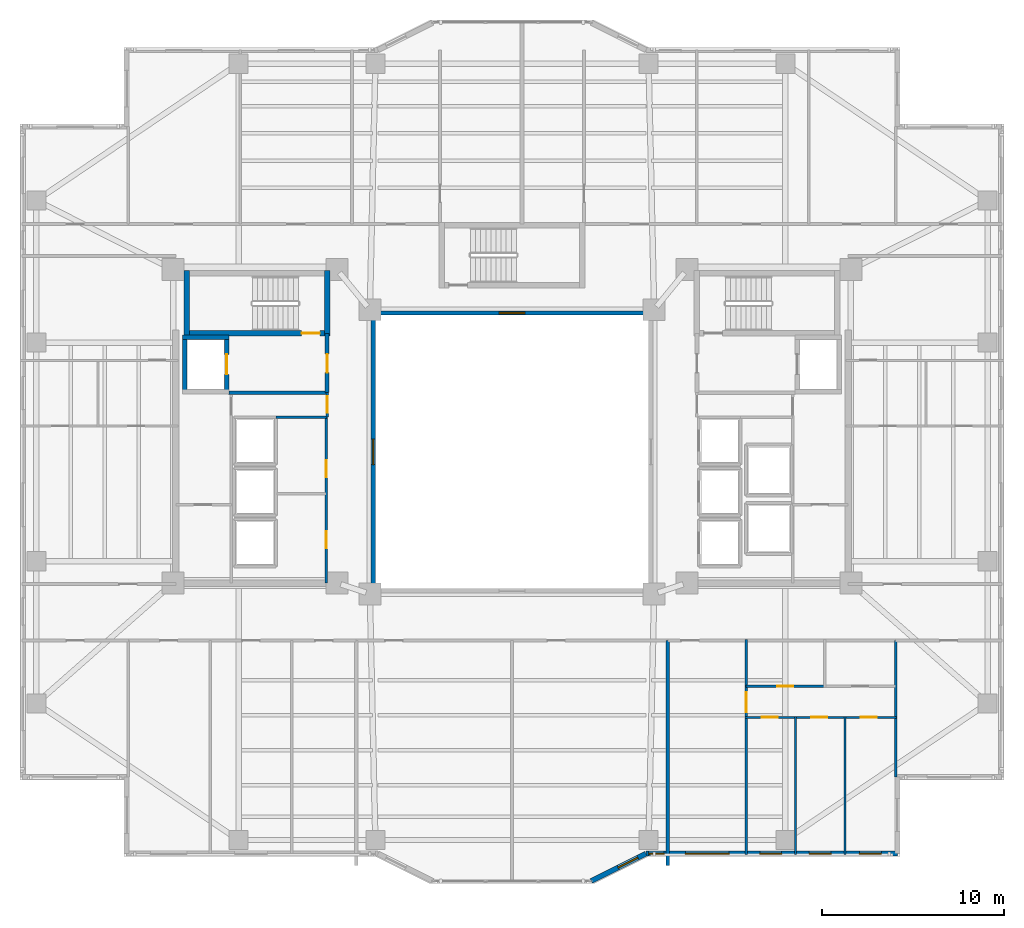
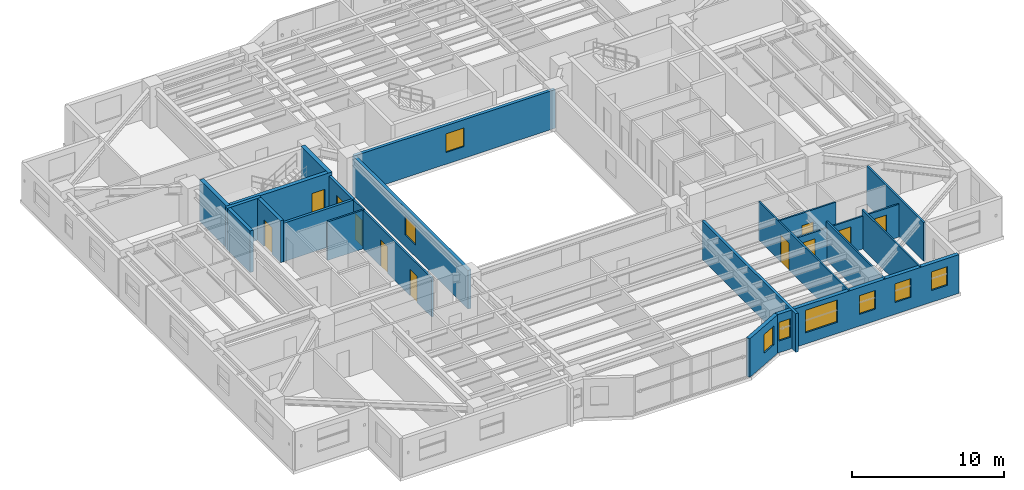
# One storey, part 7 of 18: 22 walls, 11 doors, 8 windows, 19 openings.
"""IFC4 building model written with IfcOpenShell, lengths in metres."""

import ifcopenshell
import ifcopenshell.guid

model = None  # the IFC model being written
_history = None  # IfcOwnerHistory: only IFC2X3 demands one
_inside = {}  # id of a spatial element -> (the spatial element, [elements in it])
_under = {}  # id of a project, library or spatial element -> (it, [spatial elements below it])
_declared = {}  # id of a project -> (the project, [libraries it declares])
_typed = {}  # id of a type object -> (the type object, [elements of that type])
_made_of = {}  # id of a material, layer set ... -> (it, [elements and type objects made of it])


def new_model(schema):
    """Start an empty IFC model of exactly this schema.

    Asked for "IFC4X3", IfcOpenShell would pick the latest addendum, in which some entities
    have other attributes; the version numbers below select the first issue.
    IFC2X3 requires an IfcOwnerHistory on every rooted entity: one is made here for all.
    """
    global model, _history
    if schema == "IFC4X3":
        model = ifcopenshell.file(schema_version=(4, 3, 0, 0))
    else:
        model = ifcopenshell.file(schema=schema)
    _inside.clear()
    _under.clear()
    _declared.clear()
    _typed.clear()
    _made_of.clear()
    _history = None
    if model.schema == "IFC2X3":
        org = make("IfcOrganization", Name="unknown")
        user = make(
            "IfcPersonAndOrganization",
            ThePerson=make("IfcPerson", FamilyName="unknown"),
            TheOrganization=org,
        )
        app = make(
            "IfcApplication",
            ApplicationDeveloper=org,
            Version="unknown",
            ApplicationFullName="unknown",
            ApplicationIdentifier="unknown",
        )
        _history = make(
            "IfcOwnerHistory",
            OwningUser=user,
            OwningApplication=app,
            ChangeAction="ADDED",
            CreationDate=0,
        )
    return model


def make(cls, **values):
    """One entity of the class cls with the attributes given. An attribute that is None is left unset."""
    return model.create_entity(
        cls, **{name: value for name, value in values.items() if value is not None}
    )


def rooted(cls, **values):
    """An entity with a GlobalId (a new one), such as an element, a storey or a relation."""
    return make(cls, GlobalId=ifcopenshell.guid.new(), OwnerHistory=_history, **values)


def si_unit(unit_type, name, prefix=None):
    """IfcSIUnit, for example si_unit("LENGTHUNIT", "METRE", prefix="MILLI")."""
    return make("IfcSIUnit", UnitType=unit_type, Prefix=prefix, Name=name)


def assignment(units):
    """IfcUnitAssignment: the units of a project."""
    return None if units is None else make("IfcUnitAssignment", Units=units)


def point(xyz):
    """IfcCartesianPoint."""
    return None if xyz is None else make("IfcCartesianPoint", Coordinates=xyz)


def direction(xyz):
    """IfcDirection."""
    return None if xyz is None else make("IfcDirection", DirectionRatios=xyz)


def frame(location, z_axis=None, x_axis=None):
    """IfcAxis2Placement3D, a coordinate frame: its origin and axes. An axis left out is left unset."""
    return make(
        "IfcAxis2Placement3D",
        Location=point(location),
        Axis=direction(z_axis),
        RefDirection=direction(x_axis),
    )


def frame_2d(location, x_axis=None):
    """IfcAxis2Placement2D, a coordinate frame in the plane: its origin and x axis."""
    return make(
        "IfcAxis2Placement2D", Location=point(location), RefDirection=direction(x_axis)
    )


def origin():
    """The frame at (0, 0, 0) with its axes left unset."""
    return frame((0.0, 0.0, 0.0))


def place(relative_to, where):
    """IfcLocalPlacement: puts the frame where relative to a parent placement (None: the world)."""
    return make(
        "IfcLocalPlacement", PlacementRelTo=relative_to, RelativePlacement=where
    )


def context(
    kind, dimensions, precision=None, world=None, true_north=None, identifier=None
):
    """IfcGeometricRepresentationContext, for example the 3D "Model" context."""
    return make(
        "IfcGeometricRepresentationContext",
        ContextIdentifier=identifier,
        ContextType=kind,
        CoordinateSpaceDimension=dimensions,
        Precision=precision,
        WorldCoordinateSystem=world,
        TrueNorth=true_north,
    )


def subcontext(parent, identifier, kind, view, scale=None):
    """IfcGeometricRepresentationSubContext, for example "Body" below "Model"."""
    return make(
        "IfcGeometricRepresentationSubContext",
        ContextIdentifier=identifier,
        ContextType=kind,
        ParentContext=parent,
        TargetScale=scale,
        TargetView=view,
    )


def project(units=None, contexts=None):
    """IfcProject with its units and contexts."""
    return rooted(
        "IfcProject",
        Name="project",
        RepresentationContexts=contexts,
        UnitsInContext=assignment(units),
    )


def spatial(cls, under=None, at=None, **own):
    """A site, building, storey or space (cls), placed at a placement, below another one or the project."""
    s = rooted(cls, ObjectPlacement=at, **own)
    if under is not None:
        _under.setdefault(under.id(), (under, []))[1].append(s)
    return s


def profile(cls, at=None, kind="AREA", **sizes):
    """A parametric profile (cls). Its sizes go by their IFC names, for example OverallWidth=200.0."""
    return make(cls, ProfileType=kind, Position=at, **sizes)


def rectangle(**sizes):
    """IfcRectangleProfileDef."""
    return profile("IfcRectangleProfileDef", **sizes)


def extrude(swept, where, along, depth):
    """IfcExtrudedAreaSolid: the profile swept, set in the frame where, extruded along a direction by depth."""
    return make(
        "IfcExtrudedAreaSolid",
        SweptArea=swept,
        Position=where,
        ExtrudedDirection=direction(along),
        Depth=depth,
    )


def shape(context_of_items, identifier, shape_type, items):
    """IfcShapeRepresentation: the items that make up one representation, for example the "Body"."""
    return make(
        "IfcShapeRepresentation",
        ContextOfItems=context_of_items,
        RepresentationIdentifier=identifier,
        RepresentationType=shape_type,
        Items=items,
    )


def material(Name=None, Category=None):
    """IfcMaterial."""
    return make("IfcMaterial", Name=Name, Category=Category)


def layer(
    of_material, thickness, ventilated=None, Name=None, Category=None, Priority=None
):
    """IfcMaterialLayer: one layer of a wall or slab, of a material (None: an air gap)."""
    return make(
        "IfcMaterialLayer",
        Material=of_material,
        LayerThickness=thickness,
        IsVentilated=ventilated,
        Name=Name,
        Category=Category,
        Priority=Priority,
    )


def layer_set(layers, Name=None):
    """IfcMaterialLayerSet."""
    return make("IfcMaterialLayerSet", MaterialLayers=layers, LayerSetName=Name)


def made_of(thing, what):
    """Note that an element or type object is made of a material, layer set ...; save() writes the relation."""
    if what is not None:
        _made_of.setdefault(what.id(), (what, []))[1].append(thing)
    return thing


def type_object(cls, material=None, **own):
    """A type object (cls), such as IfcWallType, which elements share."""
    return made_of(rooted(cls, **own), material)


def element(
    cls,
    number,
    at=None,
    inside=None,
    cuts=None,
    type_object=None,
    material=None,
    context=None,
    identifier="Body",
    shape_type=None,
    held_by="IfcProductDefinitionShape",
    body=None,
    shapes=None,
    **own,
):
    """One element of the class cls, such as IfcWall. Its Tag is "e" and its number.

    at: its placement. inside: the storey or other place that contains it. cuts: it is an
    opening in that element (IfcRelVoidsElement). A single representation is given by context,
    identifier, shape_type and body (its items); several are given by shapes. held_by: the class
    of the entity that holds the representations. save() writes the other relations.
    """
    e = rooted(cls, Tag="e%d" % number, ObjectPlacement=at, **own)
    if body is not None:
        shapes = [shape(context, identifier, shape_type, body)]
    if shapes is not None:
        e.Representation = make(held_by, Representations=shapes)
    if inside is not None:
        _inside.setdefault(inside.id(), (inside, []))[1].append(e)
    if cuts is not None:
        rooted(
            "IfcRelVoidsElement", RelatingBuildingElement=cuts, RelatedOpeningElement=e
        )
    if type_object is not None:
        _typed.setdefault(type_object.id(), (type_object, []))[1].append(e)
    return made_of(e, material)


def fill(opening, filler):
    """IfcRelFillsElement: the door or window that sits in an opening."""
    return rooted(
        "IfcRelFillsElement",
        RelatingOpeningElement=opening,
        RelatedBuildingElement=filler,
    )


def aggregate(whole, parts):
    """IfcRelAggregates: a whole, such as a stair, and the parts it consists of."""
    return rooted("IfcRelAggregates", RelatingObject=whole, RelatedObjects=parts)


def save(model, path):
    """Write the relations noted so far, then the file.

    IfcRelAggregates (storeys below a building ...), IfcRelContainedInSpatialStructure (elements
    in a storey), IfcRelDefinesByType, IfcRelAssociatesMaterial and IfcRelDeclares: one each for
    every whole, place, type object, material and project.
    """
    for whole, parts in _under.values():
        aggregate(whole, parts)
    for where, things in _inside.values():
        rooted(
            "IfcRelContainedInSpatialStructure",
            RelatedElements=things,
            RelatingStructure=where,
        )
    for kind, things in _typed.values():
        rooted("IfcRelDefinesByType", RelatedObjects=things, RelatingType=kind)
    for what, things in _made_of.values():
        rooted("IfcRelAssociatesMaterial", RelatedObjects=things, RelatingMaterial=what)
    for by, libraries in _declared.values():
        rooted("IfcRelDeclares", RelatingContext=by, RelatedDefinitions=libraries)
    model.write(path)


model = new_model("IFC4")

# Units and contexts
model_context = context("Model", 3, precision=1e-05, world=origin(), true_north=direction((0.0, 1.0)))
body_context = subcontext(model_context, "Body", "Model", "MODEL_VIEW")
ifc_project = project(units=[si_unit("LENGTHUNIT", "METRE"), si_unit("AREAUNIT", "SQUARE_METRE"), si_unit("VOLUMEUNIT", "CUBIC_METRE"), si_unit("PLANEANGLEUNIT", "RADIAN"), si_unit("MASSUNIT", "GRAM", prefix="KILO")], contexts=[model_context])

# Site, building, storey
site_placement = place(None, origin())
site = spatial("IfcSite", under=ifc_project, at=site_placement, CompositionType="ELEMENT")
building_placement = place(site_placement, origin())
building = spatial("IfcBuilding", under=site, at=building_placement, Name="Tarnavaz Court Tower", CompositionType="ELEMENT")
storey_placement = place(building_placement, frame((0.0, 0.0, 105.10009765625)))
storey = spatial("IfcBuildingStorey", under=building, at=storey_placement, Name="L28", CompositionType="ELEMENT", Elevation=105.10009765625)

# Wall
ifc_material_1 = material(Name="Concrete C60/75", Category="concrete")
ifc_layer_1 = layer(ifc_material_1, 0.25)
ifc_layer_set_1 = layer_set([ifc_layer_1], Name="Concrete C60/75")
wall_type_1 = type_object("IfcWallType", Name="WL-CORE-250-C60", PredefinedType="SHEAR", material=ifc_layer_set_1)
wall_1_placement = place(storey_placement, frame((-17.949951171875, 3.175048828125, 0.0), z_axis=(0.0, 0.0, 1.0), x_axis=(0.0, 1.0, 0.0)))
element("IfcWall", 1, at=wall_1_placement, inside=storey, type_object=wall_type_1, Name="L28 Lift FL-W1 Shaft Wall 017", PredefinedType="SHEAR", context=body_context, shape_type="SweptSolid", body=[
    extrude(rectangle(XDim=3.25, YDim=0.25, at=frame_2d((1.625, 0.0))), origin(), (0.0, 0.0, 1.0), 3.349853515625),
])

# Wall, opening, door
wall_2_placement = place(storey_placement, frame((-15.64990234375, 3.175048828125, 0.0), z_axis=(0.0, 0.0, 1.0), x_axis=(0.0, 1.0, 0.0)))
wall_2 = element("IfcWall", 2, at=wall_2_placement, inside=storey, type_object=wall_type_1, Name="L28 Lift FL-W1 Shaft Wall 018", PredefinedType="SHEAR", context=body_context, shape_type="SweptSolid", body=[
    extrude(rectangle(XDim=3.25, YDim=0.25, at=frame_2d((1.625, 0.0))), origin(), (0.0, 0.0, 1.0), 3.349853515625),
])
opening_1_placement = place(wall_2_placement, frame((1.074951171875, 0.0, 0.0)))
opening_1 = element("IfcOpeningElement", 3, at=opening_1_placement, cuts=wall_2, Name="Opening LD1", PredefinedType="OPENING", context=body_context, shape_type="SweptSolid", body=[
    extrude(rectangle(XDim=1.10009765625, YDim=2.14990234375, at=frame_2d((0.550048828125, 1.074951171875))), frame((0.0, 0.135009765625, 0.0), z_axis=(0.0, -1.0, 0.0), x_axis=(1.0, 0.0, 0.0)), (0.0, 0.0, 1.0), 0.27001953125),
])
ifc_material_2 = material(Name="Stainless Steel", Category="steel")
door_type_1 = type_object("IfcDoorType", Name="DR-LD-1100", OperationType="NOTDEFINED", PredefinedType="DOOR", material=ifc_material_2)
door_1_placement = place(opening_1_placement, origin())
door_1 = element("IfcDoor", 4, at=door_1_placement, inside=storey, type_object=door_type_1, Name="L28 Lift Landing Door LD-FL-W1", OperationType="SLIDING_TO_LEFT", OverallHeight=2.14990234375, OverallWidth=1.10009765625, PredefinedType="DOOR", context=body_context, shape_type="SweptSolid", body=[
    extrude(rectangle(XDim=1.10009765625, YDim=2.14990234375, at=frame_2d((0.550048828125, 1.074951171875))), frame((0.0, 0.02490234375, 0.0), z_axis=(0.0, -1.0, 0.0), x_axis=(1.0, 0.0, 0.0)), (0.0, 0.0, 1.0), 0.050048828125),
])
fill(opening_1, door_1)

# Wall
wall_3_placement = place(storey_placement, frame((-18.074951171875, 6.300048828125, 0.0), z_axis=(0.0, 0.0, 1.0), x_axis=(1.0, 0.0, 0.0)))
element("IfcWall", 5, at=wall_3_placement, inside=storey, type_object=wall_type_1, Name="L28 Lift FL-W1 Shaft Wall 020", PredefinedType="SHEAR", context=body_context, shape_type="SweptSolid", body=[
    extrude(rectangle(XDim=2.550048828125, YDim=0.25, at=frame_2d((1.27490234375, 0.0))), origin(), (0.0, 0.0, 1.0), 3.349853515625),
])

# Wall, opening, door
ifc_layer_2 = layer(ifc_material_1, 0.300048828125)
ifc_layer_set_2 = layer_set([ifc_layer_2], Name="Concrete C60/75")
wall_type_2 = type_object("IfcWallType", Name="WL-CORE-300-C60", PredefinedType="SHEAR", material=ifc_layer_set_2)
wall_4_placement = place(storey_placement, frame((-18.0, 6.5, 0.0), z_axis=(0.0, 0.0, 1.0), x_axis=(1.0, 0.0, 0.0)))
wall_4 = element("IfcWall", 6, at=wall_4_placement, inside=storey, type_object=wall_type_2, Name="L28 West Stair Core Wall 002", PredefinedType="SHEAR", context=body_context, shape_type="SweptSolid", body=[
    extrude(rectangle(XDim=8.0, YDim=0.300048828125, at=frame_2d((4.0, 0.0))), origin(), (0.0, 0.0, 1.0), 3.349853515625),
])
opening_2_placement = place(wall_4_placement, frame((6.449951171875, 0.0, 0.0)))
opening_2 = element("IfcOpeningElement", 7, at=opening_2_placement, cuts=wall_4, Name="Opening D01", PredefinedType="OPENING", context=body_context, shape_type="SweptSolid", body=[
    extrude(rectangle(XDim=1.0, YDim=2.14990234375, at=frame_2d((0.5, 1.074951171875))), frame((0.0, 0.159912109375, 0.0), z_axis=(0.0, -1.0, 0.0), x_axis=(1.0, 0.0, 0.0)), (0.0, 0.0, 1.0), 0.320068359375),
])
ifc_material_3 = material(Name="Fire-Rated Hardwood Timber Core", Category="wood")
door_type_2 = type_object("IfcDoorType", Name="DR-FD90-1000", OperationType="NOTDEFINED", PredefinedType="DOOR", material=ifc_material_3)
door_2_placement = place(opening_2_placement, origin())
door_2 = element("IfcDoor", 8, at=door_2_placement, inside=storey, type_object=door_type_2, Name="L28 Stair ST-W1 Exit Door", OperationType="SINGLE_SWING_LEFT", OverallHeight=2.14990234375, OverallWidth=1.0, PredefinedType="DOOR", context=body_context, shape_type="SweptSolid", body=[
    extrude(rectangle(XDim=1.0, YDim=2.14990234375, at=frame_2d((0.5, 1.074951171875))), frame((0.0, 0.02490234375, 0.0), z_axis=(0.0, -1.0, 0.0), x_axis=(1.0, 0.0, 0.0)), (0.0, 0.0, 1.0), 0.050048828125),
])
fill(opening_2, door_2)

# Walls
for number, where, z_axis, x_axis, name in (
    (9, (-17.85009765625, 6.35009765625, 0.0), (0.0, 0.0, 1.0), (0.0, 1.0, 0.0), "L28 West Stair Core Wall 003"),
    (10, (-10.14990234375, 6.35009765625, 0.0), (0.0, 0.0, 1.0), (0.0, 1.0, 0.0), "L28 West Stair Core Wall 004"),
):
    element("IfcWall", number, at=place(storey_placement, frame(where, z_axis=z_axis, x_axis=x_axis)), inside=storey, type_object=wall_type_2, Name=name, PredefinedType="SHEAR", context=body_context, shape_type="SweptSolid", body=[
        extrude(rectangle(XDim=3.58984375, YDim=0.300048828125, at=frame_2d((1.794921875, 0.0))), origin(), (0.0, 0.0, 1.0), 3.349853515625),
    ])

# Wall, openings, windows
ifc_material_4 = material(Name="Precast Concrete C40/50", Category="concrete")
ifc_layer_3 = layer(ifc_material_4, 0.280029296875)
ifc_layer_set_3 = layer_set([ifc_layer_3], Name="Precast Concrete C40/50")
wall_type_3 = type_object("IfcWallType", Name="WL-EXT-280", PredefinedType="SOLIDWALL", material=ifc_layer_set_3)
wall_5_placement = place(storey_placement, frame((21.14990234375, -22.050048828125, 0.0), z_axis=(0.0, 0.0, 1.0), x_axis=(-1.0, 0.0, 0.0)))
wall_5 = element("IfcWall", 11, at=wall_5_placement, inside=storey, type_object=wall_type_3, Name="L28 Exterior Terracotta Facade Wall 15", PredefinedType="SOLIDWALL", context=body_context, shape_type="SweptSolid", body=[
    extrude(rectangle(XDim=13.7998046875, YDim=0.280029296875, at=frame_2d((6.89990234375, 0.0))), origin(), (0.0, 0.0, 1.0), 3.099853515625),
])
opening_3_placement = place(wall_5_placement, frame((0.88037109375, 0.0, 0.949951171875)))
opening_3 = element("IfcOpeningElement", 12, at=opening_3_placement, cuts=wall_5, Name="Opening W05", PredefinedType="OPENING", context=body_context, shape_type="SweptSolid", body=[
    extrude(rectangle(XDim=1.199951171875, YDim=1.5, at=frame_2d((0.60009765625, 0.75))), frame((0.0, 0.14990234375, 0.0), z_axis=(0.0, -1.0, 0.0), x_axis=(1.0, 0.0, 0.0)), (0.0, 0.0, 1.0), 0.300048828125),
])
opening_4_placement = place(wall_5_placement, frame((3.640380859375, 0.0, 0.949951171875)))
opening_4 = element("IfcOpeningElement", 13, at=opening_4_placement, cuts=wall_5, Name="Opening W05", PredefinedType="OPENING", context=body_context, shape_type="SweptSolid", body=[
    extrude(rectangle(XDim=1.199951171875, YDim=1.5, at=frame_2d((0.60009765625, 0.75))), frame((0.0, 0.14990234375, 0.0), z_axis=(0.0, -1.0, 0.0), x_axis=(1.0, 0.0, 0.0)), (0.0, 0.0, 1.0), 0.300048828125),
])
opening_5_placement = place(wall_5_placement, frame((6.35009765625, 0.0, 0.949951171875)))
opening_5 = element("IfcOpeningElement", 14, at=opening_5_placement, cuts=wall_5, Name="Opening W05", PredefinedType="OPENING", context=body_context, shape_type="SweptSolid", body=[
    extrude(rectangle(XDim=1.199951171875, YDim=1.5, at=frame_2d((0.60009765625, 0.75))), frame((0.0, 0.14990234375, 0.0), z_axis=(0.0, -1.0, 0.0), x_axis=(1.0, 0.0, 0.0)), (0.0, 0.0, 1.0), 0.300048828125),
])
opening_6_placement = place(wall_5_placement, frame((9.23779296875, 0.0, 0.89990234375)))
opening_6 = element("IfcOpeningElement", 15, at=opening_6_placement, cuts=wall_5, Name="Opening W06", PredefinedType="OPENING", context=body_context, shape_type="SweptSolid", body=[
    extrude(rectangle(XDim=2.39990234375, YDim=1.800048828125, at=frame_2d((1.199951171875, 0.89990234375))), frame((0.0, 0.14990234375, 0.0), z_axis=(0.0, -1.0, 0.0), x_axis=(1.0, 0.0, 0.0)), (0.0, 0.0, 1.0), 0.300048828125),
])
opening_7_placement = place(wall_5_placement, frame((12.802978515625, 0.0, 0.949951171875)))
opening_7 = element("IfcOpeningElement", 16, at=opening_7_placement, cuts=wall_5, Name="Opening W15", PredefinedType="OPENING", context=body_context, shape_type="SweptSolid", body=[
    extrude(rectangle(XDim=0.85009765625, YDim=1.5, at=frame_2d((0.425048828125, 0.75))), frame((0.0, 0.14990234375, 0.0), z_axis=(0.0, -1.0, 0.0), x_axis=(1.0, 0.0, 0.0)), (0.0, 0.0, 1.0), 0.300048828125),
])
ifc_material_5 = material(Name="Double-Glazed Solar Low-E Glass", Category="glass")
window_type_1 = type_object("IfcWindowType", Name="WN-APT-1200", PartitioningType="SINGLE_PANEL", PredefinedType="WINDOW", material=ifc_material_5)
window_1_placement = place(opening_3_placement, origin())
window_1 = element("IfcWindow", 17, at=window_1_placement, inside=storey, type_object=window_type_1, Name="L28 Flat 01 Bedroom 3 Window", OverallHeight=1.5, OverallWidth=1.199951171875, PartitioningType="SINGLE_PANEL", PredefinedType="WINDOW", context=body_context, shape_type="SweptSolid", body=[
    extrude(rectangle(XDim=1.199951171875, YDim=1.5, at=frame_2d((0.60009765625, 0.75))), frame((0.0, 0.030029296875, 0.0), z_axis=(0.0, -1.0, 0.0), x_axis=(1.0, 0.0, 0.0)), (0.0, 0.0, 1.0), 0.06005859375),
])
fill(opening_3, window_1)
window_2_placement = place(opening_4_placement, origin())
window_2 = element("IfcWindow", 18, at=window_2_placement, inside=storey, type_object=window_type_1, Name="L28 Flat 01 Bedroom 2 Window", OverallHeight=1.5, OverallWidth=1.199951171875, PartitioningType="SINGLE_PANEL", PredefinedType="WINDOW", context=body_context, shape_type="SweptSolid", body=[
    extrude(rectangle(XDim=1.199951171875, YDim=1.5, at=frame_2d((0.60009765625, 0.75))), frame((0.0, 0.030029296875, 0.0), z_axis=(0.0, -1.0, 0.0), x_axis=(1.0, 0.0, 0.0)), (0.0, 0.0, 1.0), 0.06005859375),
])
fill(opening_4, window_2)
window_3_placement = place(opening_5_placement, origin())
window_3 = element("IfcWindow", 19, at=window_3_placement, inside=storey, type_object=window_type_1, Name="L28 Flat 01 Principal Bedroom Window", OverallHeight=1.5, OverallWidth=1.199951171875, PartitioningType="SINGLE_PANEL", PredefinedType="WINDOW", context=body_context, shape_type="SweptSolid", body=[
    extrude(rectangle(XDim=1.199951171875, YDim=1.5, at=frame_2d((0.60009765625, 0.75))), frame((0.0, 0.030029296875, 0.0), z_axis=(0.0, -1.0, 0.0), x_axis=(1.0, 0.0, 0.0)), (0.0, 0.0, 1.0), 0.06005859375),
])
fill(opening_5, window_3)
window_type_2 = type_object("IfcWindowType", Name="WN-APT-2400", PartitioningType="TRIPLE_PANEL_VERTICAL", PredefinedType="WINDOW", material=ifc_material_5)
window_4_placement = place(opening_6_placement, origin())
window_4 = element("IfcWindow", 20, at=window_4_placement, inside=storey, type_object=window_type_2, Name="L28 Flat 01 Living and Dining Room Window", OverallHeight=1.800048828125, OverallWidth=2.39990234375, PartitioningType="SINGLE_PANEL", PredefinedType="WINDOW", context=body_context, shape_type="SweptSolid", body=[
    extrude(rectangle(XDim=2.39990234375, YDim=1.800048828125, at=frame_2d((1.199951171875, 0.89990234375))), frame((0.0, 0.030029296875, 0.0), z_axis=(0.0, -1.0, 0.0), x_axis=(1.0, 0.0, 0.0)), (0.0, 0.0, 1.0), 0.06005859375),
])
fill(opening_6, window_4)
window_type_3 = type_object("IfcWindowType", Name="WN-APT-850", PartitioningType="SINGLE_PANEL", PredefinedType="WINDOW", material=ifc_material_5)
window_5_placement = place(opening_7_placement, origin())
window_5 = element("IfcWindow", 21, at=window_5_placement, inside=storey, type_object=window_type_3, Name="L28 South Courtyard Reading Room Window", OverallHeight=1.5, OverallWidth=0.85009765625, PartitioningType="SINGLE_PANEL", PredefinedType="WINDOW", context=body_context, shape_type="SweptSolid", body=[
    extrude(rectangle(XDim=0.85009765625, YDim=1.5, at=frame_2d((0.425048828125, 0.75))), frame((0.0, 0.030029296875, 0.0), z_axis=(0.0, -1.0, 0.0), x_axis=(1.0, 0.0, 0.0)), (0.0, 0.0, 1.0), 0.06005859375),
])
fill(opening_7, window_5)

# Wall, opening, window
wall_6_placement = place(storey_placement, frame((7.35009765625, -22.050048828125, 0.0), z_axis=(0.0, 0.0, 1.0), x_axis=(-0.894427191, -0.4472135955, 0.0)))
wall_6 = element("IfcWall", 22, at=wall_6_placement, inside=storey, type_object=wall_type_3, Name="L28 Exterior Terracotta Facade Wall 16", PredefinedType="SOLIDWALL", context=body_context, shape_type="SweptSolid", body=[
    extrude(rectangle(XDim=3.35400390625, YDim=0.280029296875, at=frame_2d((1.677001953125, 0.0))), origin(), (0.0, 0.0, 1.0), 3.099853515625),
])
opening_8_placement = place(wall_6_placement, frame((0.501220703125, 0.0, 0.949951171875)))
opening_8 = element("IfcOpeningElement", 23, at=opening_8_placement, cuts=wall_6, Name="Opening W05", PredefinedType="OPENING", context=body_context, shape_type="SweptSolid", body=[
    extrude(rectangle(XDim=1.199951171875, YDim=1.5, at=frame_2d((0.60009765625, 0.75))), frame((0.0, 0.14990234375, 0.0), z_axis=(0.0, -1.0, 0.0), x_axis=(1.0, 0.0, 0.0)), (0.0, 0.0, 1.0), 0.300048828125),
])
window_6_placement = place(opening_8_placement, origin())
window_6 = element("IfcWindow", 24, at=window_6_placement, inside=storey, type_object=window_type_1, Name="L28 South Courtyard Reading Room Window", OverallHeight=1.5, OverallWidth=1.199951171875, PartitioningType="SINGLE_PANEL", PredefinedType="WINDOW", context=body_context, shape_type="SweptSolid", body=[
    extrude(rectangle(XDim=1.199951171875, YDim=1.5, at=frame_2d((0.60009765625, 0.75))), frame((0.0, 0.030029296875, 0.0), z_axis=(0.0, -1.0, 0.0), x_axis=(1.0, 0.0, 0.0)), (0.0, 0.0, 1.0), 0.06005859375),
])
fill(opening_8, window_6)

# Wall
ifc_material_6 = material(Name="Autoclaved Aerated Concrete Blockwork", Category="masonry")
ifc_layer_4 = layer(ifc_material_6, 0.199951171875)
ifc_layer_set_4 = layer_set([ifc_layer_4], Name="Autoclaved Aerated Concrete Blockwork")
wall_type_4 = type_object("IfcWallType", Name="WL-FIRE-200", PredefinedType="SOLIDWALL", material=ifc_layer_set_4)
wall_7_placement = place(storey_placement, frame((-15.550048828125, 3.25, 0.0), z_axis=(0.0, 0.0, 1.0), x_axis=(1.0, 0.0, 0.0)))
element("IfcWall", 25, at=wall_7_placement, inside=storey, type_object=wall_type_4, Name="L28 West Firefighting Lobby Wall 013", PredefinedType="SOLIDWALL", context=body_context, shape_type="SweptSolid", body=[
    extrude(rectangle(XDim=5.400146484375, YDim=0.199951171875, at=frame_2d((2.7001953125, 0.0))), origin(), (0.0, 0.0, 1.0), 3.099853515625),
])

# Wall, opening, door
wall_8_placement = place(storey_placement, frame((-10.14990234375, 3.25, 0.0), z_axis=(0.0, 0.0, 1.0), x_axis=(0.0, 1.0, 0.0)))
wall_8 = element("IfcWall", 26, at=wall_8_placement, inside=storey, type_object=wall_type_4, Name="L28 West Firefighting Lobby Wall 014", PredefinedType="SOLIDWALL", context=body_context, shape_type="SweptSolid", body=[
    extrude(rectangle(XDim=3.25, YDim=0.199951171875, at=frame_2d((1.625, 0.0))), origin(), (0.0, 0.0, 1.0), 3.099853515625),
])
opening_9_placement = place(wall_8_placement, frame((1.10009765625, 0.0, 0.0)))
opening_9 = element("IfcOpeningElement", 27, at=opening_9_placement, cuts=wall_8, Name="Opening D05", PredefinedType="OPENING", context=body_context, shape_type="SweptSolid", body=[
    extrude(rectangle(XDim=1.02001953125, YDim=2.14990234375, at=frame_2d((0.510009765625, 1.074951171875))), frame((0.0, 0.10986328125, 0.0), z_axis=(0.0, -1.0, 0.0), x_axis=(1.0, 0.0, 0.0)), (0.0, 0.0, 1.0), 0.219970703125),
])
door_type_3 = type_object("IfcDoorType", Name="DR-FD60-1000", OperationType="NOTDEFINED", PredefinedType="DOOR", material=ifc_material_3)
door_3_placement = place(opening_9_placement, origin())
door_3 = element("IfcDoor", 28, at=door_3_placement, inside=storey, type_object=door_type_3, Name="L28 West Firefighting Lobby Door", OperationType="SINGLE_SWING_RIGHT", OverallHeight=2.14990234375, OverallWidth=1.02001953125, PredefinedType="DOOR", context=body_context, shape_type="SweptSolid", body=[
    extrude(rectangle(XDim=1.02001953125, YDim=2.14990234375, at=frame_2d((0.510009765625, 1.074951171875))), frame((0.0, 0.02490234375, 0.0), z_axis=(0.0, -1.0, 0.0), x_axis=(1.0, 0.0, 0.0)), (0.0, 0.0, 1.0), 0.050048828125),
])
fill(opening_9, door_3)

# Wall
wall_9_placement = place(storey_placement, frame((8.550048828125, -22.7041015625, 0.0), z_axis=(0.0, 0.0, 1.0), x_axis=(0.0, 1.0, 0.0)))
element("IfcWall", 29, at=wall_9_placement, inside=storey, type_object=wall_type_4, Name="L28 Party Wall 092", PredefinedType="SOLIDWALL", context=body_context, shape_type="SweptSolid", body=[
    extrude(rectangle(XDim=12.35400390625, YDim=0.199951171875, at=frame_2d((6.177001953125, 0.0))), origin(), (0.0, 0.0, 1.0), 3.099853515625),
])

# Wall, opening, door
ifc_material_7 = material(Name="Moisture-Resistant Gypsum Board Partition", Category="masonry")
ifc_layer_5 = layer(ifc_material_7, 0.1201171875)
ifc_layer_set_5 = layer_set([ifc_layer_5], Name="Moisture-Resistant Gypsum Board Partition")
wall_type_5 = type_object("IfcWallType", Name="WL-PART-120", PredefinedType="PARTITIONING", material=ifc_layer_set_5)
wall_10_placement = place(storey_placement, frame((12.85205078125, -22.10009765625, 0.0), z_axis=(0.0, 0.0, 1.0), x_axis=(0.0, 1.0, 0.0)))
wall_10 = element("IfcWall", 30, at=wall_10_placement, inside=storey, type_object=wall_type_5, Name="L28 Interior Partition 084", PredefinedType="PARTITIONING", context=body_context, shape_type="SweptSolid", body=[
    extrude(rectangle(XDim=11.81005859375, YDim=0.1201171875, at=frame_2d((5.905029296875, 0.0))), origin(), (0.0, 0.0, 1.0), 3.099853515625),
])
opening_10_placement = place(wall_10_placement, frame((7.81494140625, 0.0, 0.0)))
opening_10 = element("IfcOpeningElement", 31, at=opening_10_placement, cuts=wall_10, Name="Opening D12", PredefinedType="OPENING", context=body_context, shape_type="SweptSolid", body=[
    extrude(rectangle(XDim=1.080078125, YDim=2.14990234375, at=frame_2d((0.5400390625, 1.074951171875))), frame((0.0, 0.070068359375, 0.0), z_axis=(0.0, -1.0, 0.0), x_axis=(1.0, 0.0, 0.0)), (0.0, 0.0, 1.0), 0.14013671875),
])
ifc_material_8 = material(Name="Engineered Oak Timber", Category="wood")
door_type_4 = type_object("IfcDoorType", Name="DR-INT-1100", OperationType="NOTDEFINED", PredefinedType="DOOR", material=ifc_material_8)
door_4_placement = place(opening_10_placement, origin())
door_4 = element("IfcDoor", 32, at=door_4_placement, inside=storey, type_object=door_type_4, Name="L28 Flat 01 Foyer Door", OperationType="SINGLE_SWING_LEFT", OverallHeight=2.14990234375, OverallWidth=1.080078125, PredefinedType="DOOR", context=body_context, shape_type="SweptSolid", body=[
    extrude(rectangle(XDim=1.080078125, YDim=2.14990234375, at=frame_2d((0.5400390625, 1.074951171875))), frame((0.0, 0.02490234375, 0.0), z_axis=(0.0, -1.0, 0.0), x_axis=(1.0, 0.0, 0.0)), (0.0, 0.0, 1.0), 0.050048828125),
])
fill(opening_10, door_4)

wall_11_placement = place(storey_placement, frame((12.85205078125, -12.860107421875, 0.0), z_axis=(0.0, 0.0, 1.0), x_axis=(1.0, 0.0, 0.0)))
wall_11 = element("IfcWall", 33, at=wall_11_placement, inside=storey, type_object=wall_type_5, Name="L28 Interior Partition 085", PredefinedType="PARTITIONING", context=body_context, shape_type="SweptSolid", body=[
    extrude(rectangle(XDim=4.31298828125, YDim=0.1201171875, at=frame_2d((2.156494140625, 0.0))), origin(), (0.0, 0.0, 1.0), 3.099853515625),
])
opening_11_placement = place(wall_11_placement, frame((1.716064453125, 0.0, 0.0)))
opening_11 = element("IfcOpeningElement", 34, at=opening_11_placement, cuts=wall_11, Name="Opening D14", PredefinedType="OPENING", context=body_context, shape_type="SweptSolid", body=[
    extrude(rectangle(XDim=0.8798828125, YDim=2.10009765625, at=frame_2d((0.43994140625, 1.050048828125))), frame((0.0, 0.070068359375, 0.0), z_axis=(0.0, -1.0, 0.0), x_axis=(1.0, 0.0, 0.0)), (0.0, 0.0, 1.0), 0.14013671875),
])
door_type_5 = type_object("IfcDoorType", Name="DR-INT-900", OperationType="NOTDEFINED", PredefinedType="DOOR", material=ifc_material_8)
door_5_placement = place(opening_11_placement, origin())
door_5 = element("IfcDoor", 35, at=door_5_placement, inside=storey, type_object=door_type_5, Name="L28 Flat 01 Kitchen Door", OperationType="SINGLE_SWING_RIGHT", OverallHeight=2.10009765625, OverallWidth=0.8798828125, PredefinedType="DOOR", context=body_context, shape_type="SweptSolid", body=[
    extrude(rectangle(XDim=0.8798828125, YDim=2.10009765625, at=frame_2d((0.43994140625, 1.050048828125))), frame((0.0, 0.02490234375, 0.0), z_axis=(0.0, -1.0, 0.0), x_axis=(1.0, 0.0, 0.0)), (0.0, 0.0, 1.0), 0.050048828125),
])
fill(opening_11, door_5)

# Wall, openings, doors
wall_12_placement = place(storey_placement, frame((12.7919921875, -14.570068359375, 0.0), z_axis=(0.0, 0.0, 1.0), x_axis=(1.0, 0.0, 0.0)))
wall_12 = element("IfcWall", 36, at=wall_12_placement, inside=storey, type_object=wall_type_5, Name="L28 Interior Partition 087", PredefinedType="PARTITIONING", context=body_context, shape_type="SweptSolid", body=[
    extrude(rectangle(XDim=8.318115234375, YDim=0.1201171875, at=frame_2d((4.1591796875, 0.0))), origin(), (0.0, 0.0, 1.0), 2.635009765625),
])
opening_12_placement = place(wall_12_placement, frame((0.916015625, 0.0, 0.0)))
opening_12 = element("IfcOpeningElement", 37, at=opening_12_placement, cuts=wall_12, Name="Opening D14", PredefinedType="OPENING", context=body_context, shape_type="SweptSolid", body=[
    extrude(rectangle(XDim=0.8798828125, YDim=2.10009765625, at=frame_2d((0.43994140625, 1.050048828125))), frame((0.0, 0.070068359375, 0.0), z_axis=(0.0, -1.0, 0.0), x_axis=(1.0, 0.0, 0.0)), (0.0, 0.0, 1.0), 0.14013671875),
])
opening_13_placement = place(wall_12_placement, frame((3.62890625, 0.0, 0.0)))
opening_13 = element("IfcOpeningElement", 38, at=opening_13_placement, cuts=wall_12, Name="Opening D14", PredefinedType="OPENING", context=body_context, shape_type="SweptSolid", body=[
    extrude(rectangle(XDim=0.8798828125, YDim=2.10009765625, at=frame_2d((0.43994140625, 1.050048828125))), frame((0.0, 0.070068359375, 0.0), z_axis=(0.0, -1.0, 0.0), x_axis=(1.0, 0.0, 0.0)), (0.0, 0.0, 1.0), 0.14013671875),
])
opening_14_placement = place(wall_12_placement, frame((6.342041015625, 0.0, 0.0)))
opening_14 = element("IfcOpeningElement", 39, at=opening_14_placement, cuts=wall_12, Name="Opening D14", PredefinedType="OPENING", context=body_context, shape_type="SweptSolid", body=[
    extrude(rectangle(XDim=0.8798828125, YDim=2.10009765625, at=frame_2d((0.43994140625, 1.050048828125))), frame((0.0, 0.070068359375, 0.0), z_axis=(0.0, -1.0, 0.0), x_axis=(1.0, 0.0, 0.0)), (0.0, 0.0, 1.0), 0.14013671875),
])
door_6_placement = place(opening_12_placement, origin())
door_6 = element("IfcDoor", 40, at=door_6_placement, inside=storey, type_object=door_type_5, Name="L28 Flat 01 Bedroom 1 Door", OperationType="SINGLE_SWING_RIGHT", OverallHeight=2.10009765625, OverallWidth=0.8798828125, PredefinedType="DOOR", context=body_context, shape_type="SweptSolid", body=[
    extrude(rectangle(XDim=0.8798828125, YDim=2.10009765625, at=frame_2d((0.43994140625, 1.050048828125))), frame((0.0, 0.02490234375, 0.0), z_axis=(0.0, -1.0, 0.0), x_axis=(1.0, 0.0, 0.0)), (0.0, 0.0, 1.0), 0.050048828125),
])
fill(opening_12, door_6)
door_7_placement = place(opening_13_placement, origin())
door_7 = element("IfcDoor", 41, at=door_7_placement, inside=storey, type_object=door_type_5, Name="L28 Flat 01 Bedroom 2 Door", OperationType="SINGLE_SWING_LEFT", OverallHeight=2.10009765625, OverallWidth=0.8798828125, PredefinedType="DOOR", context=body_context, shape_type="SweptSolid", body=[
    extrude(rectangle(XDim=0.8798828125, YDim=2.10009765625, at=frame_2d((0.43994140625, 1.050048828125))), frame((0.0, 0.02490234375, 0.0), z_axis=(0.0, -1.0, 0.0), x_axis=(1.0, 0.0, 0.0)), (0.0, 0.0, 1.0), 0.050048828125),
])
fill(opening_13, door_7)
door_8_placement = place(opening_14_placement, origin())
door_8 = element("IfcDoor", 42, at=door_8_placement, inside=storey, type_object=door_type_5, Name="L28 Flat 01 Bedroom 3 Door", OperationType="SINGLE_SWING_RIGHT", OverallHeight=2.10009765625, OverallWidth=0.8798828125, PredefinedType="DOOR", context=body_context, shape_type="SweptSolid", body=[
    extrude(rectangle(XDim=0.8798828125, YDim=2.10009765625, at=frame_2d((0.43994140625, 1.050048828125))), frame((0.0, 0.02490234375, 0.0), z_axis=(0.0, -1.0, 0.0), x_axis=(1.0, 0.0, 0.0)), (0.0, 0.0, 1.0), 0.050048828125),
])
fill(opening_14, door_8)

# Walls
for number, where, z_axis, x_axis, name in (
    (43, (15.56494140625, -22.10009765625, 0.0), (0.0, 0.0, 1.0), (0.0, 1.0, 0.0), "L28 Interior Partition 089"),
    (44, (18.277099609375, -22.10009765625, 0.0), (0.0, 0.0, 1.0), (0.0, 1.0, 0.0), "L28 Interior Partition 090"),
):
    element("IfcWall", number, at=place(storey_placement, frame(where, z_axis=z_axis, x_axis=x_axis)), inside=storey, type_object=wall_type_5, Name=name, PredefinedType="PARTITIONING", context=body_context, shape_type="SweptSolid", body=[
        extrude(rectangle(XDim=7.590087890625, YDim=0.1201171875, at=frame_2d((3.794921875, 0.0))), origin(), (0.0, 0.0, 1.0), 3.099853515625),
    ])
ifc_material_9 = material(Name="Gypsum Plasterboard Acoustic Partition", Category="masonry")
ifc_layer_6 = layer(ifc_material_9, 0.139892578125)
ifc_layer_set_6 = layer_set([ifc_layer_6], Name="Gypsum Plasterboard Acoustic Partition")
wall_type_6 = type_object("IfcWallType", Name="WL-PART-150", PredefinedType="PARTITIONING", material=ifc_layer_set_6)
wall_13_placement = place(storey_placement, frame((-12.949951171875, 1.89990234375, 0.0), z_axis=(0.0, 0.0, 1.0), x_axis=(1.0, 0.0, 0.0)))
element("IfcWall", 45, at=wall_13_placement, inside=storey, type_object=wall_type_6, Name="L28 Interior Partition 061", PredefinedType="PARTITIONING", context=body_context, shape_type="SweptSolid", body=[
    extrude(rectangle(XDim=2.800048828125, YDim=0.139892578125, at=frame_2d((1.39990234375, 0.0))), origin(), (0.0, 0.0, 1.0), 3.099853515625),
])

# Wall, opening, door
wall_14_placement = place(storey_placement, frame((-10.14990234375, 1.919921875, 0.0), z_axis=(0.0, 0.0, 1.0), x_axis=(0.0, 1.0, 0.0)))
wall_14 = element("IfcWall", 46, at=wall_14_placement, inside=storey, type_object=wall_type_6, Name="L28 Interior Partition 062", PredefinedType="PARTITIONING", context=body_context, shape_type="SweptSolid", body=[
    extrude(rectangle(XDim=1.330078125, YDim=0.139892578125, at=frame_2d((0.6650390625, 0.0))), origin(), (0.0, 0.0, 1.0), 3.099853515625),
])
opening_15_placement = place(wall_14_placement, frame((0.219970703125, 0.0, 0.0)))
opening_15 = element("IfcOpeningElement", 47, at=opening_15_placement, cuts=wall_14, Name="Opening D09", PredefinedType="OPENING", context=body_context, shape_type="SweptSolid", body=[
    extrude(rectangle(XDim=0.89990234375, YDim=2.080078125, at=frame_2d((0.449951171875, 1.0400390625))), frame((0.0, 0.079833984375, 0.0), z_axis=(0.0, -1.0, 0.0), x_axis=(1.0, 0.0, 0.0)), (0.0, 0.0, 1.0), 0.159912109375),
])
door_type_6 = type_object("IfcDoorType", Name="DR-FD30-900", OperationType="NOTDEFINED", PredefinedType="DOOR", material=ifc_material_3)
door_9_placement = place(opening_15_placement, origin())
door_9 = element("IfcDoor", 48, at=door_9_placement, inside=storey, type_object=door_type_6, Name="L28 West Core Service Lobby Door", OperationType="SINGLE_SWING_LEFT", OverallHeight=2.080078125, OverallWidth=0.89990234375, PredefinedType="DOOR", context=body_context, shape_type="SweptSolid", body=[
    extrude(rectangle(XDim=0.89990234375, YDim=2.080078125, at=frame_2d((0.449951171875, 1.0400390625))), frame((0.0, 0.02490234375, 0.0), z_axis=(0.0, -1.0, 0.0), x_axis=(1.0, 0.0, 0.0)), (0.0, 0.0, 1.0), 0.050048828125),
])
fill(opening_15, door_9)

# Wall, openings, doors
wall_15_placement = place(storey_placement, frame((-10.199951171875, -7.199951171875, 0.0), z_axis=(0.0, 0.0, 1.0), x_axis=(0.0, 1.0, 0.0)))
wall_15 = element("IfcWall", 49, at=wall_15_placement, inside=storey, type_object=wall_type_6, Name="L28 West Reclaimed Core Wall 065", PredefinedType="PARTITIONING", context=body_context, shape_type="SweptSolid", body=[
    extrude(rectangle(XDim=9.119873046875, YDim=0.139892578125, at=frame_2d((4.56005859375, 0.0))), origin(), (0.0, 0.0, 1.0), 3.099853515625),
])
opening_16_placement = place(wall_15_placement, frame((1.89990234375, 0.0, 0.0)))
opening_16 = element("IfcOpeningElement", 50, at=opening_16_placement, cuts=wall_15, Name="Opening D08", PredefinedType="OPENING", context=body_context, shape_type="SweptSolid", body=[
    extrude(rectangle(XDim=0.949951171875, YDim=2.1201171875, at=frame_2d((0.47509765625, 1.06005859375))), frame((0.0, 0.079833984375, 0.0), z_axis=(0.0, -1.0, 0.0), x_axis=(1.0, 0.0, 0.0)), (0.0, 0.0, 1.0), 0.159912109375),
])
opening_17_placement = place(wall_15_placement, frame((5.800048828125, 0.0, 0.0)))
opening_17 = element("IfcOpeningElement", 51, at=opening_17_placement, cuts=wall_15, Name="Opening D08", PredefinedType="OPENING", context=body_context, shape_type="SweptSolid", body=[
    extrude(rectangle(XDim=0.949951171875, YDim=2.1201171875, at=frame_2d((0.47509765625, 1.06005859375))), frame((0.0, 0.079833984375, 0.0), z_axis=(0.0, -1.0, 0.0), x_axis=(1.0, 0.0, 0.0)), (0.0, 0.0, 1.0), 0.159912109375),
])
door_type_7 = type_object("IfcDoorType", Name="DR-FD30-950", OperationType="NOTDEFINED", PredefinedType="DOOR", material=ifc_material_3)
door_10_placement = place(opening_16_placement, origin())
door_10 = element("IfcDoor", 52, at=door_10_placement, inside=storey, type_object=door_type_7, Name="L28 West Study Room Door", OperationType="SINGLE_SWING_RIGHT", OverallHeight=2.1201171875, OverallWidth=0.949951171875, PredefinedType="DOOR", context=body_context, shape_type="SweptSolid", body=[
    extrude(rectangle(XDim=0.949951171875, YDim=2.1201171875, at=frame_2d((0.47509765625, 1.06005859375))), frame((0.0, 0.02490234375, 0.0), z_axis=(0.0, -1.0, 0.0), x_axis=(1.0, 0.0, 0.0)), (0.0, 0.0, 1.0), 0.050048828125),
])
fill(opening_16, door_10)
door_11_placement = place(opening_17_placement, origin())
door_11 = element("IfcDoor", 53, at=door_11_placement, inside=storey, type_object=door_type_7, Name="L28 West Laundry Room Door", OperationType="SINGLE_SWING_LEFT", OverallHeight=2.1201171875, OverallWidth=0.949951171875, PredefinedType="DOOR", context=body_context, shape_type="SweptSolid", body=[
    extrude(rectangle(XDim=0.949951171875, YDim=2.1201171875, at=frame_2d((0.47509765625, 1.06005859375))), frame((0.0, 0.02490234375, 0.0), z_axis=(0.0, -1.0, 0.0), x_axis=(1.0, 0.0, 0.0)), (0.0, 0.0, 1.0), 0.050048828125),
])
fill(opening_17, door_11)

# Wall
wall_16_placement = place(storey_placement, frame((21.050048828125, -17.85009765625, 0.0), z_axis=(0.0, 0.0, 1.0), x_axis=(0.0, 1.0, 0.0)))
element("IfcWall", 54, at=wall_16_placement, inside=storey, type_object=wall_type_6, Name="L28 Interior Partition 100", PredefinedType="PARTITIONING", context=body_context, shape_type="SweptSolid", body=[
    extrude(rectangle(XDim=7.5, YDim=0.139892578125, at=frame_2d((3.75, 0.0))), origin(), (0.0, 0.0, 1.0), 3.099853515625),
])

# Wall, opening, window
ifc_layer_7 = layer(ifc_material_4, 0.239990234375)
ifc_layer_set_7 = layer_set([ifc_layer_7], Name="Precast Concrete C40/50")
wall_type_7 = type_object("IfcWallType", Name="WL-WELL-240", PredefinedType="SOLIDWALL", material=ifc_layer_set_7)
wall_17_placement = place(storey_placement, frame((7.6201171875, 7.6201171875, 0.0), z_axis=(0.0, 0.0, 1.0), x_axis=(-1.0, 0.0, 0.0)))
wall_17 = element("IfcWall", 55, at=wall_17_placement, inside=storey, type_object=wall_type_7, Name="L28 Badgir Light-Well Exterior Wall N", PredefinedType="SOLIDWALL", context=body_context, shape_type="SweptSolid", body=[
    extrude(rectangle(XDim=15.240234375, YDim=0.239990234375, at=frame_2d((7.6201171875, 0.0))), origin(), (0.0, 0.0, 1.0), 3.099853515625),
])
opening_18_placement = place(wall_17_placement, frame((6.919921875, 0.0, 0.949951171875)))
opening_18 = element("IfcOpeningElement", 56, at=opening_18_placement, cuts=wall_17, Name="Opening W13", PredefinedType="OPENING", context=body_context, shape_type="SweptSolid", body=[
    extrude(rectangle(XDim=1.39990234375, YDim=1.5, at=frame_2d((0.699951171875, 0.75))), frame((0.0, 0.1298828125, 0.0), z_axis=(0.0, -1.0, 0.0), x_axis=(1.0, 0.0, 0.0)), (0.0, 0.0, 1.0), 0.260009765625),
])
window_type_4 = type_object("IfcWindowType", Name="WN-WEL-1400", PartitioningType="SINGLE_PANEL", PredefinedType="WINDOW", material=ifc_material_5)
window_7_placement = place(opening_18_placement, origin())
window_7 = element("IfcWindow", 57, at=window_7_placement, inside=storey, type_object=window_type_4, Name="L28 Courtyard Gallery Window N", OverallHeight=1.5, OverallWidth=1.39990234375, PartitioningType="SINGLE_PANEL", PredefinedType="WINDOW", context=body_context, shape_type="SweptSolid", body=[
    extrude(rectangle(XDim=1.39990234375, YDim=1.5, at=frame_2d((0.699951171875, 0.75))), frame((0.0, 0.030029296875, 0.0), z_axis=(0.0, -1.0, 0.0), x_axis=(1.0, 0.0, 0.0)), (0.0, 0.0, 1.0), 0.06005859375),
])
fill(opening_18, window_7)

wall_18_placement = place(storey_placement, frame((-7.6201171875, 7.6201171875, 0.0), z_axis=(0.0, 0.0, 1.0), x_axis=(0.0, -1.0, 0.0)))
wall_18 = element("IfcWall", 58, at=wall_18_placement, inside=storey, type_object=wall_type_7, Name="L28 Badgir Light-Well Exterior Wall W", PredefinedType="SOLIDWALL", context=body_context, shape_type="SweptSolid", body=[
    extrude(rectangle(XDim=15.240234375, YDim=0.239990234375, at=frame_2d((7.6201171875, 0.0))), origin(), (0.0, 0.0, 1.0), 3.099853515625),
])
opening_19_placement = place(wall_18_placement, frame((6.919921875, 0.0, 0.949951171875)))
opening_19 = element("IfcOpeningElement", 59, at=opening_19_placement, cuts=wall_18, Name="Opening W13", PredefinedType="OPENING", context=body_context, shape_type="SweptSolid", body=[
    extrude(rectangle(XDim=1.39990234375, YDim=1.5, at=frame_2d((0.699951171875, 0.75))), frame((0.0, 0.1298828125, 0.0), z_axis=(0.0, -1.0, 0.0), x_axis=(1.0, 0.0, 0.0)), (0.0, 0.0, 1.0), 0.260009765625),
])
window_8_placement = place(opening_19_placement, origin())
window_8 = element("IfcWindow", 60, at=window_8_placement, inside=storey, type_object=window_type_4, Name="L28 Courtyard Gallery Window W", OverallHeight=1.5, OverallWidth=1.39990234375, PartitioningType="SINGLE_PANEL", PredefinedType="WINDOW", context=body_context, shape_type="SweptSolid", body=[
    extrude(rectangle(XDim=1.39990234375, YDim=1.5, at=frame_2d((0.699951171875, 0.75))), frame((0.0, 0.030029296875, 0.0), z_axis=(0.0, -1.0, 0.0), x_axis=(1.0, 0.0, 0.0)), (0.0, 0.0, 1.0), 0.06005859375),
])
fill(opening_19, window_8)

save(model, "model.ifc")
